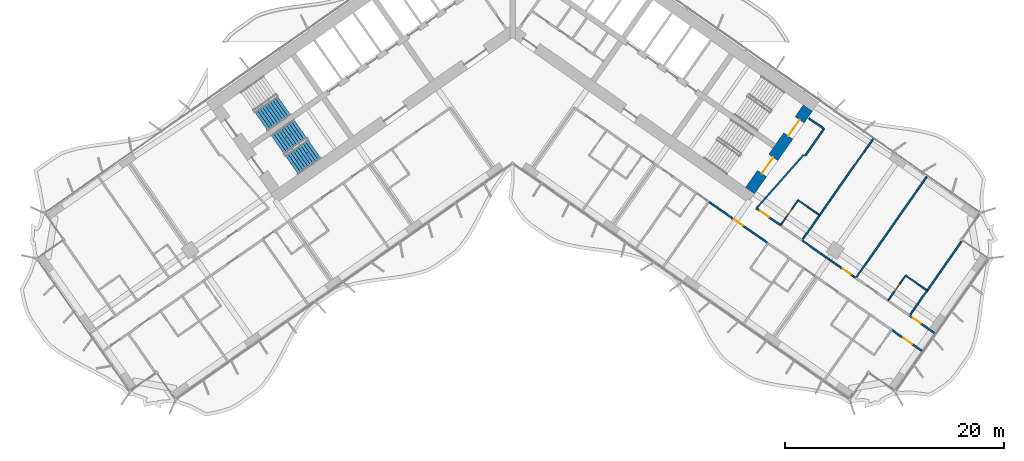
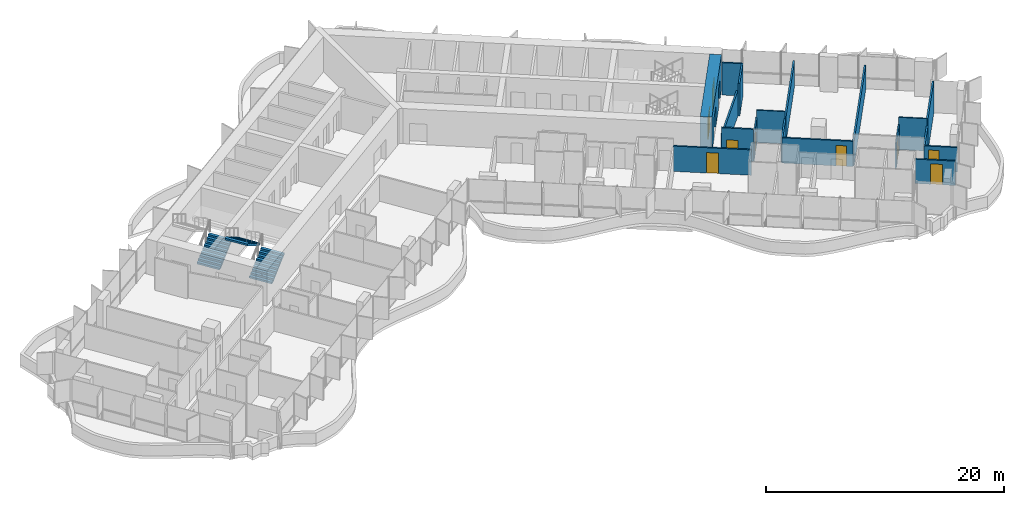
# One storey, part 17 of 24: 18 walls, 9 doors, 3 stair flights, 9 openings, 2 elements without a shape of their own.
"""IFC4 building model written with IfcOpenShell, lengths in metres."""

from ifc_helpers import new_model, si_unit, direction, frame, frame_2d, origin, place, context, subcontext, project, spatial, polyline, rectangle, outline, extrude, material, layer, layer_set, type_object, element, fill, aggregate, save


model = new_model("IFC4")

# Units and contexts
model_context = context("Model", 3, precision=1e-05, world=origin(), true_north=direction((0.0, 1.0)))
body_context = subcontext(model_context, "Body", "Model", "MODEL_VIEW")
ifc_project = project(units=[si_unit("LENGTHUNIT", "METRE"), si_unit("AREAUNIT", "SQUARE_METRE"), si_unit("VOLUMEUNIT", "CUBIC_METRE"), si_unit("PLANEANGLEUNIT", "RADIAN"), si_unit("MASSUNIT", "GRAM", prefix="KILO")], contexts=[model_context])

# Site, building, storey
site_placement = place(None, origin())
site = spatial("IfcSite", under=ifc_project, at=site_placement, CompositionType="ELEMENT")
building_placement = place(site_placement, origin())
building = spatial("IfcBuilding", under=site, at=building_placement, Name="Tel Ilan Convention Tower", CompositionType="ELEMENT")
storey_placement = place(building_placement, frame((0.0, 0.0, 68.89990234375)))
storey = spatial("IfcBuildingStorey", under=building, at=storey_placement, Name="L12", CompositionType="ELEMENT", Elevation=68.89990234375)

# Wall, openings, doors
ifc_material_1 = material(Name="Concrete C60/75", Category="concrete")
ifc_layer_1 = layer(ifc_material_1, 1.0)
ifc_layer_set_1 = layer_set([ifc_layer_1], Name="Core Shear Wall 1000 mm C60/75")
wall_type_1 = type_object("IfcWallType", Name="Core Shear Wall 1000 mm C60/75", PredefinedType="SHEAR", material=ifc_layer_set_1)
wall_1_placement = place(storey_placement, frame((21.70751953125, -15.19970703125, 0.0), z_axis=(0.0, 0.0, 1.0), x_axis=(0.573576324356, 0.819152122709, 0.0)))
wall_1 = element("IfcWall", 1, at=wall_1_placement, inside=storey, type_object=wall_type_1, Name="L12 core wall E-end", PredefinedType="SHEAR", context=body_context, shape_type="SweptSolid", body=[
    extrude(outline(polyline([(9.199951171875, 0.5), (0.0, 0.5), (0.0, -0.5), (9.199951171875, -0.5), (9.199951171875, 0.5)])), origin(), (0.0, 0.0, 1.0), 3.60009765625),
])
opening_1_placement = place(wall_1_placement, frame((6.10009765625, 0.0, 0.0)))
opening_1 = element("IfcOpeningElement", 2, at=opening_1_placement, cuts=wall_1, Name="Opening SD1203", PredefinedType="OPENING", context=body_context, shape_type="SweptSolid", body=[
    extrude(rectangle(XDim=1.800048828125, YDim=2.10009765625, at=frame_2d((0.89990234375, 1.050048828125))), frame((0.0, 0.510009765625, 0.0), z_axis=(0.0, -1.0, 0.0), x_axis=(1.0, 0.0, 0.0)), (0.0, 0.0, 1.0), 1.02001953125),
])
opening_2_placement = place(wall_1_placement, frame((1.89990234375, 0.0, 0.0)))
opening_2 = element("IfcOpeningElement", 3, at=opening_2_placement, cuts=wall_1, Name="Opening SD1204", PredefinedType="OPENING", context=body_context, shape_type="SweptSolid", body=[
    extrude(rectangle(XDim=1.800048828125, YDim=2.10009765625, at=frame_2d((0.89990234375, 1.050048828125))), frame((0.0, 0.510009765625, 0.0), z_axis=(0.0, -1.0, 0.0), x_axis=(1.0, 0.0, 0.0)), (0.0, 0.0, 1.0), 1.02001953125),
])
ifc_material_2 = material(Name="Galvanised Steel Door Leaf", Category="steel")
door_type_1 = type_object("IfcDoorType", Name="Stair Fire Door 1800 x 2100 FD60S", OperationType="NOTDEFINED", PredefinedType="DOOR", material=ifc_material_2)
door_1_placement = place(opening_1_placement, origin())
door_1 = element("IfcDoor", 4, at=door_1_placement, inside=storey, type_object=door_type_1, Name="Stair S3 door", OperationType="DOUBLE_DOOR_SINGLE_SWING", OverallHeight=2.10009765625, OverallWidth=1.800048828125, PredefinedType="DOOR", context=body_context, shape_type="SweptSolid", body=[
    extrude(rectangle(XDim=1.800048828125, YDim=2.10009765625, at=frame_2d((0.89990234375, 1.050048828125))), frame((0.0, 0.02490234375, 0.0), z_axis=(0.0, -1.0, 0.0), x_axis=(1.0, 0.0, 0.0)), (0.0, 0.0, 1.0), 0.050048828125),
])
fill(opening_1, door_1)
door_2_placement = place(opening_2_placement, origin())
door_2 = element("IfcDoor", 5, at=door_2_placement, inside=storey, type_object=door_type_1, Name="Stair S4 door", OperationType="DOUBLE_DOOR_SINGLE_SWING", OverallHeight=2.10009765625, OverallWidth=1.800048828125, PredefinedType="DOOR", context=body_context, shape_type="SweptSolid", body=[
    extrude(rectangle(XDim=1.800048828125, YDim=2.10009765625, at=frame_2d((0.89990234375, 1.050048828125))), frame((0.0, 0.02490234375, 0.0), z_axis=(0.0, -1.0, 0.0), x_axis=(1.0, 0.0, 0.0)), (0.0, 0.0, 1.0), 0.050048828125),
])
fill(opening_2, door_2)

# Wall, opening, door
ifc_material_3 = material(Name="Plasterboard on Steel Studs", Category="steel")
ifc_layer_2 = layer(ifc_material_3, 0.14990234375)
ifc_layer_set_2 = layer_set([ifc_layer_2], Name="Fire-rated Partition 150 EI 60")
wall_type_2 = type_object("IfcWallType", Name="Fire-rated Partition 150 EI 60", PredefinedType="PARTITIONING", material=ifc_layer_set_2)
wall_2_placement = place(storey_placement, frame((22.28369140625, -16.823974609375, 0.0), z_axis=(0.0, 0.0, 1.0), x_axis=(0.819176640776, -0.573541307325, 0.0)))
wall_2 = element("IfcWall", 6, at=wall_2_placement, inside=storey, type_object=wall_type_2, Name="Partition 001", PredefinedType="PARTITIONING", context=body_context, shape_type="SweptSolid", body=[
    extrude(rectangle(XDim=2.697509765625, YDim=0.14990234375, at=frame_2d((1.3486328125, 0.0))), origin(), (0.0, 0.0, 1.0), 3.320068359375),
])
opening_3_placement = place(wall_2_placement, frame((0.396240234375, 0.0, 0.0)))
opening_3 = element("IfcOpeningElement", 7, at=opening_3_placement, cuts=wall_2, Name="Opening L11-035", PredefinedType="OPENING", context=body_context, shape_type="SweptSolid", body=[
    extrude(rectangle(XDim=1.0, YDim=2.10009765625, at=frame_2d((0.5, 1.050048828125))), frame((0.0, 0.0849609375, 0.0), z_axis=(0.0, -1.0, 0.0), x_axis=(1.0, 0.0, 0.0)), (0.0, 0.0, 1.0), 0.169921875),
])
ifc_material_4 = material(Name="Timber Door Leaf in Steel Frame", Category="steel")
door_type_2 = type_object("IfcDoorType", Name="Hotel Room Entrance Fire Door 1000x2100", OperationType="NOTDEFINED", PredefinedType="DOOR", material=ifc_material_4)
door_3_placement = place(opening_3_placement, origin())
door_3 = element("IfcDoor", 8, at=door_3_placement, inside=storey, type_object=door_type_2, Name="Door L11-035", OperationType="SINGLE_SWING_LEFT", OverallHeight=2.10009765625, OverallWidth=1.0, PredefinedType="DOOR", context=body_context, shape_type="SweptSolid", body=[
    extrude(rectangle(XDim=1.0, YDim=2.10009765625, at=frame_2d((0.5, 1.050048828125))), frame((0.0, 0.02490234375, 0.0), z_axis=(0.0, -1.0, 0.0), x_axis=(1.0, 0.0, 0.0)), (0.0, 0.0, 1.0), 0.050048828125),
])
fill(opening_3, door_3)

wall_3_placement = place(storey_placement, frame((26.456787109375, -19.74609375, 0.0), z_axis=(0.0, 0.0, 1.0), x_axis=(0.819165052243, -0.573557858619, 0.0)))
wall_3 = element("IfcWall", 9, at=wall_3_placement, inside=storey, type_object=wall_type_2, Name="Partition 003", PredefinedType="PARTITIONING", context=body_context, shape_type="SweptSolid", body=[
    extrude(rectangle(XDim=6.00390625, YDim=0.14990234375, at=frame_2d((3.001953125, 0.0))), origin(), (0.0, 0.0, 1.0), 2.60009765625),
])
opening_4_placement = place(wall_3_placement, frame((4.552001953125, 0.0, 0.0)))
opening_4 = element("IfcOpeningElement", 10, at=opening_4_placement, cuts=wall_3, Name="Opening L11-036", PredefinedType="OPENING", context=body_context, shape_type="SweptSolid", body=[
    extrude(rectangle(XDim=0.89990234375, YDim=2.10009765625, at=frame_2d((0.449951171875, 1.050048828125))), frame((0.0, 0.0849609375, 0.0), z_axis=(0.0, -1.0, 0.0), x_axis=(1.0, 0.0, 0.0)), (0.0, 0.0, 1.0), 0.169921875),
])
ifc_material_5 = material(Name="Timber Door Leaf in Steel Frame", Category="steel")
door_type_3 = type_object("IfcDoorType", Name="Room Fire Door 900x2100", OperationType="NOTDEFINED", PredefinedType="DOOR", material=ifc_material_5)
door_4_placement = place(opening_4_placement, origin())
door_4 = element("IfcDoor", 11, at=door_4_placement, inside=storey, type_object=door_type_3, Name="Door L11-036", OperationType="SINGLE_SWING_RIGHT", OverallHeight=2.10009765625, OverallWidth=0.89990234375, PredefinedType="DOOR", context=body_context, shape_type="SweptSolid", body=[
    extrude(rectangle(XDim=0.89990234375, YDim=2.10009765625, at=frame_2d((0.449951171875, 1.050048828125))), frame((0.0, 0.02490234375, 0.0), z_axis=(0.0, -1.0, 0.0), x_axis=(1.0, 0.0, 0.0)), (0.0, 0.0, 1.0), 0.050048828125),
])
fill(opening_4, door_4)

wall_4_placement = place(storey_placement, frame((36.28662109375, -26.62890625, 0.0), z_axis=(0.0, 0.0, 1.0), x_axis=(0.819137759006, -0.573596837309, 0.0)))
wall_4 = element("IfcWall", 12, at=wall_4_placement, inside=storey, type_object=wall_type_2, Name="Partition 006", PredefinedType="PARTITIONING", context=body_context, shape_type="SweptSolid", body=[
    extrude(rectangle(XDim=2.802001953125, YDim=0.14990234375, at=frame_2d((1.40087890625, 0.0))), origin(), (0.0, 0.0, 1.0), 2.5),
])
opening_5_placement = place(wall_4_placement, frame((0.35107421875, 0.0, 0.0)))
opening_5 = element("IfcOpeningElement", 13, at=opening_5_placement, cuts=wall_4, Name="Opening L11-039", PredefinedType="OPENING", context=body_context, shape_type="SweptSolid", body=[
    extrude(rectangle(XDim=0.89990234375, YDim=2.10009765625, at=frame_2d((0.449951171875, 1.050048828125))), frame((0.0, 0.0849609375, 0.0), z_axis=(0.0, -1.0, 0.0), x_axis=(1.0, 0.0, 0.0)), (0.0, 0.0, 1.0), 0.169921875),
])
door_5_placement = place(opening_5_placement, origin())
door_5 = element("IfcDoor", 14, at=door_5_placement, inside=storey, type_object=door_type_3, Name="Door L11-039", OperationType="SINGLE_SWING_LEFT", OverallHeight=2.10009765625, OverallWidth=0.89990234375, PredefinedType="DOOR", context=body_context, shape_type="SweptSolid", body=[
    extrude(rectangle(XDim=0.89990234375, YDim=2.10009765625, at=frame_2d((0.449951171875, 1.050048828125))), frame((0.0, 0.02490234375, 0.0), z_axis=(0.0, -1.0, 0.0), x_axis=(1.0, 0.0, 0.0)), (0.0, 0.0, 1.0), 0.050048828125),
])
fill(opening_5, door_5)

wall_5_placement = place(storey_placement, frame((23.34619140625, -20.009521484375, 0.0), z_axis=(0.0, 0.0, 1.0), x_axis=(-0.819153746897, 0.573574004767, 0.0)))
wall_5 = element("IfcWall", 15, at=wall_5_placement, inside=storey, type_object=wall_type_2, Name="Partition 014", PredefinedType="PARTITIONING", context=body_context, shape_type="SweptSolid", body=[
    extrude(rectangle(XDim=6.60302734375, YDim=0.14990234375, at=frame_2d((3.301513671875, 0.0))), origin(), (0.0, 0.0, 1.0), 2.60009765625),
])
opening_6_placement = place(wall_5_placement, frame((2.801025390625, 0.0, 0.0)))
opening_6 = element("IfcOpeningElement", 16, at=opening_6_placement, cuts=wall_5, Name="Opening L11-027", PredefinedType="OPENING", context=body_context, shape_type="SweptSolid", body=[
    extrude(rectangle(XDim=1.0, YDim=2.10009765625, at=frame_2d((0.5, 1.050048828125))), frame((0.0, 0.0849609375, 0.0), z_axis=(0.0, -1.0, 0.0), x_axis=(1.0, 0.0, 0.0)), (0.0, 0.0, 1.0), 0.169921875),
])
door_6_placement = place(opening_6_placement, origin())
door_6 = element("IfcDoor", 17, at=door_6_placement, inside=storey, type_object=door_type_2, Name="Door L11-027", OperationType="SINGLE_SWING_RIGHT", OverallHeight=2.10009765625, OverallWidth=1.0, PredefinedType="DOOR", context=body_context, shape_type="SweptSolid", body=[
    extrude(rectangle(XDim=1.0, YDim=2.10009765625, at=frame_2d((0.5, 1.050048828125))), frame((0.0, 0.02490234375, 0.0), z_axis=(0.0, -1.0, 0.0), x_axis=(1.0, 0.0, 0.0)), (0.0, 0.0, 1.0), 0.050048828125),
])
fill(opening_6, door_6)

wall_6_placement = place(storey_placement, frame((37.434814453125, -29.87451171875, 0.0), z_axis=(0.0, 0.0, 1.0), x_axis=(-0.819144234337, 0.573587589957, 0.0)))
wall_6 = element("IfcWall", 18, at=wall_6_placement, inside=storey, type_object=wall_type_2, Name="Partition 020", PredefinedType="PARTITIONING", context=body_context, shape_type="SweptSolid", body=[
    extrude(rectangle(XDim=3.4013671875, YDim=0.14990234375, at=frame_2d((1.70068359375, 0.0))), origin(), (0.0, 0.0, 1.0), 2.5),
])
opening_7_placement = place(wall_6_placement, frame((1.10009765625, 0.0, 0.0)))
opening_7 = element("IfcOpeningElement", 19, at=opening_7_placement, cuts=wall_6, Name="Opening L11-033", PredefinedType="OPENING", context=body_context, shape_type="SweptSolid", body=[
    extrude(rectangle(XDim=1.0, YDim=2.10009765625, at=frame_2d((0.5, 1.050048828125))), frame((0.0, 0.0849609375, 0.0), z_axis=(0.0, -1.0, 0.0), x_axis=(1.0, 0.0, 0.0)), (0.0, 0.0, 1.0), 0.169921875),
])
door_7_placement = place(opening_7_placement, origin())
door_7 = element("IfcDoor", 20, at=door_7_placement, inside=storey, type_object=door_type_2, Name="Door L11-033", OperationType="SINGLE_SWING_RIGHT", OverallHeight=2.10009765625, OverallWidth=1.0, PredefinedType="DOOR", context=body_context, shape_type="SweptSolid", body=[
    extrude(rectangle(XDim=1.0, YDim=2.10009765625, at=frame_2d((0.5, 1.050048828125))), frame((0.0, 0.02490234375, 0.0), z_axis=(0.0, -1.0, 0.0), x_axis=(1.0, 0.0, 0.0)), (0.0, 0.0, 1.0), 0.050048828125),
])
fill(opening_7, door_7)

# Walls
wall_7_placement = place(storey_placement, frame((32.93994140625, -10.49072265625, 0.0), z_axis=(0.0, 0.0, 1.0), x_axis=(-0.573593433868, -0.819140142237, 0.0)))
element("IfcWall", 21, at=wall_7_placement, inside=storey, type_object=wall_type_2, Name="Partition 042", PredefinedType="PARTITIONING", context=body_context, shape_type="SweptSolid", body=[
    extrude(rectangle(XDim=8.4990234375, YDim=0.14990234375, at=frame_2d((4.24951171875, 0.0))), origin(), (0.0, 0.0, 1.0), 2.60009765625),
])
wall_8_placement = place(storey_placement, frame((22.285400390625, -16.8251953125, 0.0), z_axis=(0.0, 0.0, 1.0), x_axis=(0.661551268245, 0.749899939647, 0.0)))
element("IfcWall", 22, at=wall_8_placement, inside=storey, type_object=wall_type_2, Name="Partition 043", PredefinedType="PARTITIONING", context=body_context, shape_type="SweptSolid", body=[
    extrude(rectangle(XDim=6.541015625, YDim=0.14990234375, at=frame_2d((3.2705078125, 0.0))), origin(), (0.0, 0.0, 1.0), 2.60009765625),
])
wall_9_placement = place(storey_placement, frame((26.74609375, -12.013671875, 0.0), z_axis=(0.0, 0.0, 1.0), x_axis=(0.573560650686, 0.819163097304, 0.0)))
element("IfcWall", 23, at=wall_9_placement, inside=storey, type_object=wall_type_2, Name="Partition 044", PredefinedType="PARTITIONING", context=body_context, shape_type="SweptSolid", body=[
    extrude(rectangle(XDim=3.0, YDim=0.14990234375, at=frame_2d((1.5, 0.0))), origin(), (0.0, 0.0, 1.0), 3.320068359375),
])
wall_10_placement = place(storey_placement, frame((28.466796875, -9.55615234375, 0.0), z_axis=(0.0, 0.0, 1.0), x_axis=(-0.819109000826, 0.573637903879, 0.0)))
element("IfcWall", 24, at=wall_10_placement, inside=storey, type_object=wall_type_2, Name="Partition 045", PredefinedType="PARTITIONING", context=body_context, shape_type="SweptSolid", body=[
    extrude(rectangle(XDim=1.679931640625, YDim=0.14990234375, at=frame_2d((0.83984375, 0.0))), origin(), (0.0, 0.0, 1.0), 3.320068359375),
])
wall_11_placement = place(storey_placement, frame((28.064453125, -17.45361328125, 0.0), z_axis=(0.0, 0.0, 1.0), x_axis=(-0.573550118428, -0.819170471667, 0.0)))
element("IfcWall", 25, at=wall_11_placement, inside=storey, type_object=wall_type_2, Name="Partition 046", PredefinedType="PARTITIONING", context=body_context, shape_type="SweptSolid", body=[
    extrude(rectangle(XDim=2.800048828125, YDim=0.14990234375, at=frame_2d((1.39990234375, 0.0))), origin(), (0.0, 0.0, 1.0), 2.60009765625),
])
wall_12_placement = place(storey_placement, frame((37.854736328125, -13.93212890625, 0.0), z_axis=(0.0, 0.0, 1.0), x_axis=(-0.573571089604, -0.819155788095, 0.0)))
element("IfcWall", 26, at=wall_12_placement, inside=storey, type_object=wall_type_2, Name="Partition 047", PredefinedType="PARTITIONING", context=body_context, shape_type="SweptSolid", body=[
    extrude(rectangle(XDim=11.300048828125, YDim=0.14990234375, at=frame_2d((5.64990234375, 0.0))), origin(), (0.0, 0.0, 1.0), 2.5),
])
wall_13_placement = place(storey_placement, frame((41.048828125, -19.8310546875, 0.0), z_axis=(0.0, 0.0, 1.0), x_axis=(-0.573530875885, -0.819183944183, 0.0)))
element("IfcWall", 27, at=wall_13_placement, inside=storey, type_object=wall_type_2, Name="Partition 050", PredefinedType="PARTITIONING", context=body_context, shape_type="SweptSolid", body=[
    extrude(rectangle(XDim=5.4990234375, YDim=0.14990234375, at=frame_2d((2.74951171875, 0.0))), origin(), (0.0, 0.0, 1.0), 3.320068359375),
])
wall_14_placement = place(storey_placement, frame((37.894287109375, -24.33642578125, 0.0), z_axis=(0.0, 0.0, 1.0), x_axis=(-0.573550118428, -0.819170471667, 0.0)))
element("IfcWall", 28, at=wall_14_placement, inside=storey, type_object=wall_type_2, Name="Partition 051", PredefinedType="PARTITIONING", context=body_context, shape_type="SweptSolid", body=[
    extrude(rectangle(XDim=2.800048828125, YDim=0.14990234375, at=frame_2d((1.39990234375, 0.0))), origin(), (0.0, 0.0, 1.0), 2.60009765625),
])

# Wall, opening, door
ifc_material_6 = material(Name="Plasterboard on Steel Studs", Category="steel")
ifc_layer_3 = layer(ifc_material_6, 0.1201171875)
ifc_layer_set_3 = layer_set([ifc_layer_3], Name="Moisture-resistant Partition 120")
wall_type_3 = type_object("IfcWallType", Name="Moisture-resistant Partition 120", PredefinedType="PARTITIONING", material=ifc_layer_set_3)
wall_15_placement = place(storey_placement, frame((26.09765625, -16.076416015625, 0.0), z_axis=(0.0, 0.0, 1.0), x_axis=(-0.573550118428, -0.819170471667, 0.0)))
wall_15 = element("IfcWall", 29, at=wall_15_placement, inside=storey, type_object=wall_type_3, Name="Partition 040", PredefinedType="PARTITIONING", context=body_context, shape_type="SweptSolid", body=[
    extrude(rectangle(XDim=2.800048828125, YDim=0.1201171875, at=frame_2d((1.39990234375, 0.0))), origin(), (0.0, 0.0, 1.0), 2.60009765625),
])
opening_8_placement = place(wall_15_placement, frame((0.97509765625, 0.0, 0.0)))
opening_8 = element("IfcOpeningElement", 30, at=opening_8_placement, cuts=wall_15, Name="Opening L11-034", PredefinedType="OPENING", context=body_context, shape_type="SweptSolid", body=[
    extrude(rectangle(XDim=0.85009765625, YDim=2.050048828125, at=frame_2d((0.425048828125, 1.02490234375))), frame((0.0, 0.070068359375, 0.0), z_axis=(0.0, -1.0, 0.0), x_axis=(1.0, 0.0, 0.0)), (0.0, 0.0, 1.0), 0.14013671875),
])
ifc_material_7 = material(Name="Timber Door Leaf in Steel Frame", Category="steel")
door_type_4 = type_object("IfcDoorType", Name="Bathroom Timber Door 850x2050", OperationType="NOTDEFINED", PredefinedType="DOOR", material=ifc_material_7)
door_8_placement = place(opening_8_placement, origin())
door_8 = element("IfcDoor", 31, at=door_8_placement, inside=storey, type_object=door_type_4, Name="Door L11-034", OperationType="SINGLE_SWING_RIGHT", OverallHeight=2.050048828125, OverallWidth=0.85009765625, PredefinedType="DOOR", context=body_context, shape_type="SweptSolid", body=[
    extrude(rectangle(XDim=0.85009765625, YDim=2.050048828125, at=frame_2d((0.425048828125, 1.02490234375))), frame((0.0, 0.02490234375, 0.0), z_axis=(0.0, -1.0, 0.0), x_axis=(1.0, 0.0, 0.0)), (0.0, 0.0, 1.0), 0.050048828125),
])
fill(opening_8, door_8)

# Walls
wall_16_placement = place(storey_placement, frame((28.06494140625, -17.45263671875, 0.0), z_axis=(0.0, 0.0, 1.0), x_axis=(-0.819155442668, 0.573571582932, 0.0)))
element("IfcWall", 32, at=wall_16_placement, inside=storey, type_object=wall_type_3, Name="Partition 041", PredefinedType="PARTITIONING", context=body_context, shape_type="SweptSolid", body=[
    extrude(rectangle(XDim=2.39990234375, YDim=0.1201171875, at=frame_2d((1.199951171875, 0.0))), origin(), (0.0, 0.0, 1.0), 3.320068359375),
])
wall_17_placement = place(storey_placement, frame((37.89501953125, -24.335693359375, 0.0), z_axis=(0.0, 0.0, 1.0), x_axis=(-0.819141114317, 0.573592045652, 0.0)))
element("IfcWall", 33, at=wall_17_placement, inside=storey, type_object=wall_type_3, Name="Partition 048", PredefinedType="PARTITIONING", context=body_context, shape_type="SweptSolid", body=[
    extrude(rectangle(XDim=2.400146484375, YDim=0.1201171875, at=frame_2d((1.2001953125, 0.0))), origin(), (0.0, 0.0, 1.0), 3.320068359375),
])

# Wall, opening, door
wall_18_placement = place(storey_placement, frame((35.927490234375, -22.959228515625, 0.0), z_axis=(0.0, 0.0, 1.0), x_axis=(-0.573550118428, -0.819170471667, 0.0)))
wall_18 = element("IfcWall", 34, at=wall_18_placement, inside=storey, type_object=wall_type_3, Name="Partition 049", PredefinedType="PARTITIONING", context=body_context, shape_type="SweptSolid", body=[
    extrude(rectangle(XDim=2.800048828125, YDim=0.1201171875, at=frame_2d((1.39990234375, 0.0))), origin(), (0.0, 0.0, 1.0), 2.60009765625),
])
opening_9_placement = place(wall_18_placement, frame((0.97509765625, 0.0, 0.0)))
opening_9 = element("IfcOpeningElement", 35, at=opening_9_placement, cuts=wall_18, Name="Opening L11-037", PredefinedType="OPENING", context=body_context, shape_type="SweptSolid", body=[
    extrude(rectangle(XDim=0.85009765625, YDim=2.050048828125, at=frame_2d((0.425048828125, 1.02490234375))), frame((0.0, 0.070068359375, 0.0), z_axis=(0.0, -1.0, 0.0), x_axis=(1.0, 0.0, 0.0)), (0.0, 0.0, 1.0), 0.14013671875),
])
door_9_placement = place(opening_9_placement, origin())
door_9 = element("IfcDoor", 36, at=door_9_placement, inside=storey, type_object=door_type_4, Name="Door L11-037", OperationType="SINGLE_SWING_LEFT", OverallHeight=2.050048828125, OverallWidth=0.85009765625, PredefinedType="DOOR", context=body_context, shape_type="SweptSolid", body=[
    extrude(rectangle(XDim=0.85009765625, YDim=2.050048828125, at=frame_2d((0.425048828125, 1.02490234375))), frame((0.0, 0.02490234375, 0.0), z_axis=(0.0, -1.0, 0.0), x_axis=(1.0, 0.0, 0.0)), (0.0, 0.0, 1.0), 0.050048828125),
])
fill(opening_9, door_9)

# Stair, stair flight
ifc_material_8 = material(Name="Concrete C40/50", Category="concrete")
stair_type = type_object("IfcStairType", Name="Pressurised Exit Stair 20 risers 180 mm", PredefinedType="HALF_TURN_STAIR", material=ifc_material_8)
stair_1_placement = place(storey_placement, origin())
stair_1 = element("IfcStair", 37, at=stair_1_placement, inside=storey, type_object=stair_type, Name="L12 Pressurised Stair S1", PredefinedType="HALF_TURN_STAIR")
ifc_material_9 = material(Name="Precast Concrete C40/50", Category="concrete")
stair_flight_type = type_object("IfcStairFlightType", Name="Concrete Stair Flight 2100 mm 20 risers 180 mm", PredefinedType="STRAIGHT", material=ifc_material_9)
stair_flight_1_placement = place(storey_placement, frame((-22.9619140625, -8.87548828125, 0.0), z_axis=(0.0, 0.0, 1.0), x_axis=(0.819152044289, 0.573576436351, 0.0)))
stair_flight_1 = element("IfcStairFlight", 38, at=stair_flight_1_placement, type_object=stair_flight_type, Name="S1 flight 1", NumberOfRisers=10, NumberOfTreads=9, PredefinedType="STRAIGHT", RiserHeight=0.18, TreadLength=0.28, context=body_context, shape_type="SweptSolid", body=[
    extrude(outline(polyline([(0.0, 0.0), (0.0, 0.179931640625), (0.280029296875, 0.179931640625), (0.280029296875, 0.360107421875), (0.56005859375, 0.360107421875), (0.56005859375, 0.5400390625), (0.840087890625, 0.5400390625), (0.840087890625, 0.719970703125), (1.1201171875, 0.719970703125), (1.1201171875, 0.89990234375), (1.39990234375, 0.89990234375), (1.39990234375, 1.080078125), (1.679931640625, 1.080078125), (1.679931640625, 1.260009765625), (1.9599609375, 1.260009765625), (1.9599609375, 1.43994140625), (2.239990234375, 1.43994140625), (2.239990234375, 1.6201171875), (2.52001953125, 1.6201171875), (2.52001953125, 1.800048828125), (2.52001953125, 1.44189453125), (0.277099609375, 0.0), (0.0, 0.0)])), frame((0.0, -0.100341796875, 0.0), z_axis=(0.0, -1.0, 0.0), x_axis=(1.0, 0.0, 0.0)), (0.0, 0.0, 1.0), 0.94970703125),
    extrude(outline(polyline([(0.0, 0.0), (0.0, 0.179931640625), (0.280029296875, 0.179931640625), (0.280029296875, 0.360107421875), (0.56005859375, 0.360107421875), (0.56005859375, 0.5400390625), (0.840087890625, 0.5400390625), (0.840087890625, 0.719970703125), (1.1201171875, 0.719970703125), (1.1201171875, 0.89990234375), (1.39990234375, 0.89990234375), (1.39990234375, 1.080078125), (1.679931640625, 1.080078125), (1.679931640625, 1.260009765625), (1.9599609375, 1.260009765625), (1.9599609375, 1.43994140625), (2.239990234375, 1.43994140625), (2.239990234375, 1.6201171875), (2.52001953125, 1.6201171875), (2.52001953125, 1.800048828125), (2.52001953125, 1.44189453125), (0.277099609375, 0.0), (0.0, 0.0)])), frame((0.0, -0.000244140625, 0.0), z_axis=(0.0, -1.0, 0.0), x_axis=(1.0, 0.0, 0.0)), (0.0, 0.0, 1.0), 0.099609375),
    extrude(outline(polyline([(0.0, 0.0), (0.0, 0.179931640625), (0.280029296875, 0.179931640625), (0.280029296875, 0.360107421875), (0.56005859375, 0.360107421875), (0.56005859375, 0.5400390625), (0.840087890625, 0.5400390625), (0.840087890625, 0.719970703125), (1.1201171875, 0.719970703125), (1.1201171875, 0.89990234375), (1.39990234375, 0.89990234375), (1.39990234375, 1.080078125), (1.679931640625, 1.080078125), (1.679931640625, 1.260009765625), (1.9599609375, 1.260009765625), (1.9599609375, 1.43994140625), (2.239990234375, 1.43994140625), (2.239990234375, 1.6201171875), (2.52001953125, 1.6201171875), (2.52001953125, 1.800048828125), (2.52001953125, 1.44189453125), (0.277099609375, 0.0), (0.0, 0.0)])), frame((0.0, 0.099853515625, 0.0), z_axis=(0.0, -1.0, 0.0), x_axis=(1.0, 0.0, 0.0)), (0.0, 0.0, 1.0), 0.099609375),
    extrude(outline(polyline([(0.0, 0.0), (0.0, 0.179931640625), (0.280029296875, 0.179931640625), (0.280029296875, 0.360107421875), (0.56005859375, 0.360107421875), (0.56005859375, 0.5400390625), (0.840087890625, 0.5400390625), (0.840087890625, 0.719970703125), (1.1201171875, 0.719970703125), (1.1201171875, 0.89990234375), (1.39990234375, 0.89990234375), (1.39990234375, 1.080078125), (1.679931640625, 1.080078125), (1.679931640625, 1.260009765625), (1.9599609375, 1.260009765625), (1.9599609375, 1.43994140625), (2.239990234375, 1.43994140625), (2.239990234375, 1.6201171875), (2.52001953125, 1.6201171875), (2.52001953125, 1.800048828125), (2.52001953125, 1.44189453125), (0.277099609375, 0.0), (0.0, 0.0)])), frame((0.0, 1.050048828125, 0.0), z_axis=(0.0, -1.0, 0.0), x_axis=(1.0, 0.0, 0.0)), (0.0, 0.0, 1.0), 0.94970703125),
])
aggregate(stair_1, [stair_flight_1])

# Stair, stair flights
stair_2_placement = place(storey_placement, origin())
stair_2 = element("IfcStair", 39, at=stair_2_placement, inside=storey, type_object=stair_type, Name="L12 Pressurised Stair S2", PredefinedType="HALF_TURN_STAIR")
stair_flight_2_placement = place(storey_placement, frame((-20.179931640625, -12.848388671875, 0.0), z_axis=(0.0, 0.0, 1.0), x_axis=(0.819152044289, 0.573576436351, 0.0)))
stair_flight_2 = element("IfcStairFlight", 40, at=stair_flight_2_placement, type_object=stair_flight_type, Name="S2 flight 1", NumberOfRisers=10, NumberOfTreads=9, PredefinedType="STRAIGHT", RiserHeight=0.18, TreadLength=0.28, context=body_context, shape_type="SweptSolid", body=[
    extrude(outline(polyline([(0.0, 0.0), (0.0, 0.179931640625), (0.280029296875, 0.179931640625), (0.280029296875, 0.360107421875), (0.56005859375, 0.360107421875), (0.56005859375, 0.5400390625), (0.840087890625, 0.5400390625), (0.840087890625, 0.719970703125), (1.1201171875, 0.719970703125), (1.1201171875, 0.89990234375), (1.39990234375, 0.89990234375), (1.39990234375, 1.080078125), (1.679931640625, 1.080078125), (1.679931640625, 1.260009765625), (1.9599609375, 1.260009765625), (1.9599609375, 1.43994140625), (2.239990234375, 1.43994140625), (2.239990234375, 1.6201171875), (2.52001953125, 1.6201171875), (2.52001953125, 1.800048828125), (2.52001953125, 1.44189453125), (0.277099609375, 0.0), (0.0, 0.0)])), frame((0.0, -0.100341796875, 0.0), z_axis=(0.0, -1.0, 0.0), x_axis=(1.0, 0.0, 0.0)), (0.0, 0.0, 1.0), 0.94970703125),
    extrude(outline(polyline([(0.0, 0.0), (0.0, 0.179931640625), (0.280029296875, 0.179931640625), (0.280029296875, 0.360107421875), (0.56005859375, 0.360107421875), (0.56005859375, 0.5400390625), (0.840087890625, 0.5400390625), (0.840087890625, 0.719970703125), (1.1201171875, 0.719970703125), (1.1201171875, 0.89990234375), (1.39990234375, 0.89990234375), (1.39990234375, 1.080078125), (1.679931640625, 1.080078125), (1.679931640625, 1.260009765625), (1.9599609375, 1.260009765625), (1.9599609375, 1.43994140625), (2.239990234375, 1.43994140625), (2.239990234375, 1.6201171875), (2.52001953125, 1.6201171875), (2.52001953125, 1.800048828125), (2.52001953125, 1.44189453125), (0.277099609375, 0.0), (0.0, 0.0)])), frame((0.0, -0.000244140625, 0.0), z_axis=(0.0, -1.0, 0.0), x_axis=(1.0, 0.0, 0.0)), (0.0, 0.0, 1.0), 0.099609375),
    extrude(outline(polyline([(0.0, 0.0), (0.0, 0.179931640625), (0.280029296875, 0.179931640625), (0.280029296875, 0.360107421875), (0.56005859375, 0.360107421875), (0.56005859375, 0.5400390625), (0.840087890625, 0.5400390625), (0.840087890625, 0.719970703125), (1.1201171875, 0.719970703125), (1.1201171875, 0.89990234375), (1.39990234375, 0.89990234375), (1.39990234375, 1.080078125), (1.679931640625, 1.080078125), (1.679931640625, 1.260009765625), (1.9599609375, 1.260009765625), (1.9599609375, 1.43994140625), (2.239990234375, 1.43994140625), (2.239990234375, 1.6201171875), (2.52001953125, 1.6201171875), (2.52001953125, 1.800048828125), (2.52001953125, 1.44189453125), (0.277099609375, 0.0), (0.0, 0.0)])), frame((0.0, 0.099853515625, 0.0), z_axis=(0.0, -1.0, 0.0), x_axis=(1.0, 0.0, 0.0)), (0.0, 0.0, 1.0), 0.099609375),
    extrude(outline(polyline([(0.0, 0.0), (0.0, 0.179931640625), (0.280029296875, 0.179931640625), (0.280029296875, 0.360107421875), (0.56005859375, 0.360107421875), (0.56005859375, 0.5400390625), (0.840087890625, 0.5400390625), (0.840087890625, 0.719970703125), (1.1201171875, 0.719970703125), (1.1201171875, 0.89990234375), (1.39990234375, 0.89990234375), (1.39990234375, 1.080078125), (1.679931640625, 1.080078125), (1.679931640625, 1.260009765625), (1.9599609375, 1.260009765625), (1.9599609375, 1.43994140625), (2.239990234375, 1.43994140625), (2.239990234375, 1.6201171875), (2.52001953125, 1.6201171875), (2.52001953125, 1.800048828125), (2.52001953125, 1.44189453125), (0.277099609375, 0.0), (0.0, 0.0)])), frame((0.0, 1.050048828125, 0.0), z_axis=(0.0, -1.0, 0.0), x_axis=(1.0, 0.0, 0.0)), (0.0, 0.0, 1.0), 0.94970703125),
])
stair_flight_3_placement = place(storey_placement, frame((-19.40625, -9.559814453125, 1.800048828125), z_axis=(0.0, 0.0, 1.0), x_axis=(-0.819152044289, -0.573576436351, 0.0)))
stair_flight_3 = element("IfcStairFlight", 41, at=stair_flight_3_placement, type_object=stair_flight_type, Name="S2 flight 2", NumberOfRisers=10, NumberOfTreads=9, PredefinedType="STRAIGHT", RiserHeight=0.18, TreadLength=0.28, context=body_context, shape_type="SweptSolid", body=[
    extrude(outline(polyline([(0.0, 0.0), (0.0, 0.179931640625), (0.280029296875, 0.179931640625), (0.280029296875, 0.360107421875), (0.56005859375, 0.360107421875), (0.56005859375, 0.5400390625), (0.840087890625, 0.5400390625), (0.840087890625, 0.719970703125), (1.1201171875, 0.719970703125), (1.1201171875, 0.89990234375), (1.39990234375, 0.89990234375), (1.39990234375, 1.080078125), (1.679931640625, 1.080078125), (1.679931640625, 1.260009765625), (1.9599609375, 1.260009765625), (1.9599609375, 1.43994140625), (2.239990234375, 1.43994140625), (2.239990234375, 1.6201171875), (2.52001953125, 1.6201171875), (2.52001953125, 1.800048828125), (2.52001953125, 1.44189453125), (0.277099609375, 0.0), (0.0, 0.0)])), frame((0.0, -0.100341796875, 0.0), z_axis=(0.0, -1.0, 0.0), x_axis=(1.0, 0.0, 0.0)), (0.0, 0.0, 1.0), 0.94970703125),
    extrude(outline(polyline([(0.0, 0.0), (0.0, 0.179931640625), (0.280029296875, 0.179931640625), (0.280029296875, 0.360107421875), (0.56005859375, 0.360107421875), (0.56005859375, 0.5400390625), (0.840087890625, 0.5400390625), (0.840087890625, 0.719970703125), (1.1201171875, 0.719970703125), (1.1201171875, 0.89990234375), (1.39990234375, 0.89990234375), (1.39990234375, 1.080078125), (1.679931640625, 1.080078125), (1.679931640625, 1.260009765625), (1.9599609375, 1.260009765625), (1.9599609375, 1.43994140625), (2.239990234375, 1.43994140625), (2.239990234375, 1.6201171875), (2.52001953125, 1.6201171875), (2.52001953125, 1.800048828125), (2.52001953125, 1.44189453125), (0.277099609375, 0.0), (0.0, 0.0)])), frame((0.0, -0.000244140625, 0.0), z_axis=(0.0, -1.0, 0.0), x_axis=(1.0, 0.0, 0.0)), (0.0, 0.0, 1.0), 0.099609375),
    extrude(outline(polyline([(0.0, 0.0), (0.0, 0.179931640625), (0.280029296875, 0.179931640625), (0.280029296875, 0.360107421875), (0.56005859375, 0.360107421875), (0.56005859375, 0.5400390625), (0.840087890625, 0.5400390625), (0.840087890625, 0.719970703125), (1.1201171875, 0.719970703125), (1.1201171875, 0.89990234375), (1.39990234375, 0.89990234375), (1.39990234375, 1.080078125), (1.679931640625, 1.080078125), (1.679931640625, 1.260009765625), (1.9599609375, 1.260009765625), (1.9599609375, 1.43994140625), (2.239990234375, 1.43994140625), (2.239990234375, 1.6201171875), (2.52001953125, 1.6201171875), (2.52001953125, 1.800048828125), (2.52001953125, 1.44189453125), (0.277099609375, 0.0), (0.0, 0.0)])), frame((0.0, 0.099853515625, 0.0), z_axis=(0.0, -1.0, 0.0), x_axis=(1.0, 0.0, 0.0)), (0.0, 0.0, 1.0), 0.099609375),
    extrude(outline(polyline([(0.0, 0.0), (0.0, 0.179931640625), (0.280029296875, 0.179931640625), (0.280029296875, 0.360107421875), (0.56005859375, 0.360107421875), (0.56005859375, 0.5400390625), (0.840087890625, 0.5400390625), (0.840087890625, 0.719970703125), (1.1201171875, 0.719970703125), (1.1201171875, 0.89990234375), (1.39990234375, 0.89990234375), (1.39990234375, 1.080078125), (1.679931640625, 1.080078125), (1.679931640625, 1.260009765625), (1.9599609375, 1.260009765625), (1.9599609375, 1.43994140625), (2.239990234375, 1.43994140625), (2.239990234375, 1.6201171875), (2.52001953125, 1.6201171875), (2.52001953125, 1.800048828125), (2.52001953125, 1.44189453125), (0.277099609375, 0.0), (0.0, 0.0)])), frame((0.0, 1.050048828125, 0.0), z_axis=(0.0, -1.0, 0.0), x_axis=(1.0, 0.0, 0.0)), (0.0, 0.0, 1.0), 0.94970703125),
])
aggregate(stair_2, [stair_flight_2, stair_flight_3])

save(model, "model.ifc")
